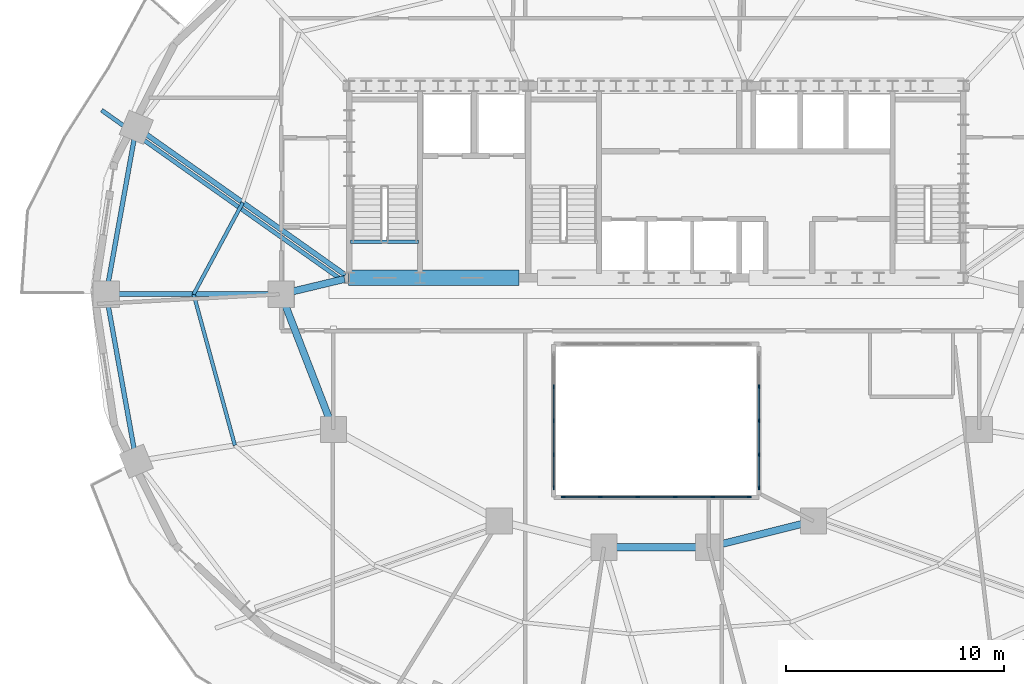
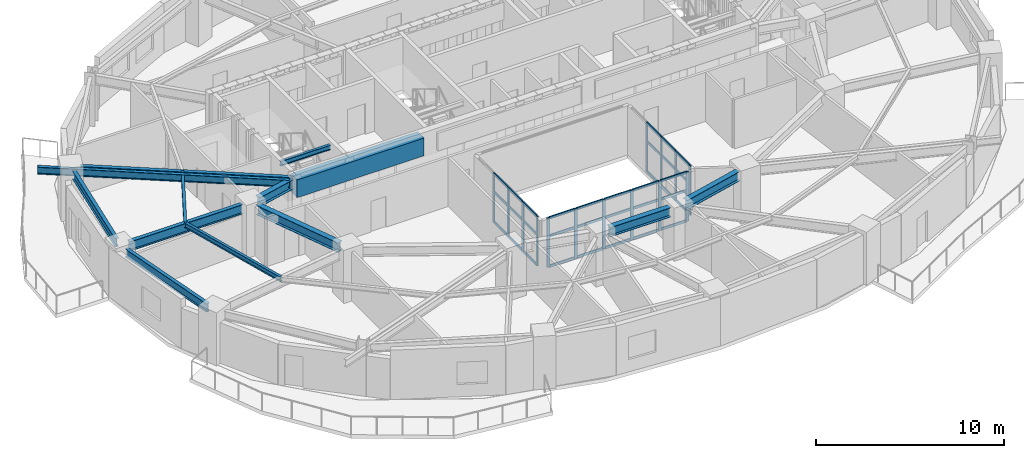
# One storey, part 2 of 11: 47 members, 13 beams, 3 elements without a shape of their own.
"""IFC4 building model written with IfcOpenShell, lengths in metres."""

from ifc_helpers import new_model, si_unit, direction, frame, origin, origin_2d, place, context, subcontext, project, spatial, rectangle, i_section, extrude, material, material_profile, profile_set, type_object, element, aggregate, save


model = new_model("IFC4")

# Units and contexts
model_context = context("Model", 3, precision=1e-05, world=origin(), true_north=direction((0.0, 1.0)))
body_context = subcontext(model_context, "Body", "Model", "MODEL_VIEW")
ifc_project = project(units=[si_unit("LENGTHUNIT", "METRE"), si_unit("AREAUNIT", "SQUARE_METRE"), si_unit("VOLUMEUNIT", "CUBIC_METRE"), si_unit("PLANEANGLEUNIT", "RADIAN"), si_unit("MASSUNIT", "GRAM", prefix="KILO")], contexts=[model_context])

# Site, building, storey
site_placement = place(None, origin())
site = spatial("IfcSite", under=ifc_project, at=site_placement, CompositionType="ELEMENT")
building_placement = place(site_placement, origin())
building = spatial("IfcBuilding", under=site, at=building_placement, Name="Haldorwick Loom Tower", CompositionType="ELEMENT")
storey_placement = place(building_placement, frame((0.0, 0.0, 164.800048828125)))
storey = spatial("IfcBuildingStorey", under=building, at=storey_placement, Name="L44", CompositionType="ELEMENT", Elevation=164.800048828125)

# Curtain wall, members
ifc_material_1 = material(Name="Thermally Broken Anodized Aluminium Curtain Wall Framing", Category="aluminium")
curtain_wall_type = type_object("IfcCurtainWallType", Name="ARC-CW-03", PredefinedType="NOTDEFINED", material=ifc_material_1)
curtain_wall_1_placement = place(storey_placement, origin())
curtain_wall_1 = element("IfcCurtainWall", 1, at=curtain_wall_1_placement, inside=storey, type_object=curtain_wall_type, Name="L44 Atrium Glazed Screen S", PredefinedType="NOTDEFINED")
ifc_material_profile_1 = material_profile(ifc_material_1, rectangle(XDim=0.06591796875, YDim=0.18505859375, at=origin_2d()), Name="ALU_MUL_66X185", Category="aluminium")
ifc_profile_set_1 = profile_set([ifc_material_profile_1], Name="Thermally Broken Anodized Aluminium Curtain Wall Framing")
member_type_1 = type_object("IfcMemberType", Name="ARC-CWM-03", PredefinedType="MULLION", material=ifc_profile_set_1)
member_1_placement = place(storey_placement, frame((40.26708984375, 16.699951171875, 0.0), z_axis=(0.0, 0.0, 1.0), x_axis=(0.0, -1.0, 0.0)))
member_1 = element("IfcMember", 2, at=member_1_placement, type_object=member_type_1, Name="CW-03 mullion 1", PredefinedType="MULLION", context=body_context, shape_type="SweptSolid", body=[
    extrude(rectangle(XDim=0.06591796875, YDim=0.18505859375, at=origin_2d()), origin(), (0.0, 0.0, 1.0), 3.2099609375),
])
member_2_placement = place(storey_placement, frame((38.580078125, 16.699951171875, 0.0), z_axis=(0.0, 0.0, 1.0), x_axis=(0.0, -1.0, 0.0)))
member_2 = element("IfcMember", 3, at=member_2_placement, type_object=member_type_1, Name="CW-03 mullion 2", PredefinedType="MULLION", context=body_context, shape_type="SweptSolid", body=[
    extrude(rectangle(XDim=0.06591796875, YDim=0.18505859375, at=origin_2d()), origin(), (0.0, 0.0, 1.0), 3.2099609375),
])
member_3_placement = place(storey_placement, frame((36.860107421875, 16.699951171875, 0.0), z_axis=(0.0, 0.0, 1.0), x_axis=(0.0, -1.0, 0.0)))
member_3 = element("IfcMember", 4, at=member_3_placement, type_object=member_type_1, Name="CW-03 mullion 3", PredefinedType="MULLION", context=body_context, shape_type="SweptSolid", body=[
    extrude(rectangle(XDim=0.06591796875, YDim=0.18505859375, at=origin_2d()), origin(), (0.0, 0.0, 1.0), 3.2099609375),
])
member_4_placement = place(storey_placement, frame((35.139892578125, 16.699951171875, 0.0), z_axis=(0.0, 0.0, 1.0), x_axis=(0.0, -1.0, 0.0)))
member_4 = element("IfcMember", 5, at=member_4_placement, type_object=member_type_1, Name="CW-03 mullion 4", PredefinedType="MULLION", context=body_context, shape_type="SweptSolid", body=[
    extrude(rectangle(XDim=0.06591796875, YDim=0.18505859375, at=origin_2d()), origin(), (0.0, 0.0, 1.0), 3.2099609375),
])
member_5_placement = place(storey_placement, frame((33.419921875, 16.699951171875, 0.0), z_axis=(0.0, 0.0, 1.0), x_axis=(0.0, -1.0, 0.0)))
member_5 = element("IfcMember", 6, at=member_5_placement, type_object=member_type_1, Name="CW-03 mullion 5", PredefinedType="MULLION", context=body_context, shape_type="SweptSolid", body=[
    extrude(rectangle(XDim=0.06591796875, YDim=0.18505859375, at=origin_2d()), origin(), (0.0, 0.0, 1.0), 3.2099609375),
])
member_6_placement = place(storey_placement, frame((31.73291015625, 16.699951171875, 0.0), z_axis=(0.0, 0.0, 1.0), x_axis=(0.0, -1.0, 0.0)))
member_6 = element("IfcMember", 7, at=member_6_placement, type_object=member_type_1, Name="CW-03 mullion 6", PredefinedType="MULLION", context=body_context, shape_type="SweptSolid", body=[
    extrude(rectangle(XDim=0.06591796875, YDim=0.18505859375, at=origin_2d()), origin(), (0.0, 0.0, 1.0), 3.2099609375),
])

curtain_wall_2_placement = place(storey_placement, origin())
curtain_wall_2 = element("IfcCurtainWall", 8, at=curtain_wall_2_placement, inside=storey, type_object=curtain_wall_type, Name="L44 Atrium Glazed Screen W", PredefinedType="NOTDEFINED")
member_7_placement = place(storey_placement, frame((31.300048828125, 17.133056640625, 0.0), z_axis=(0.0, 0.0, 1.0), x_axis=(-1.0, 0.0, 0.0)))
member_7 = element("IfcMember", 9, at=member_7_placement, type_object=member_type_1, Name="CW-03 mullion 1", PredefinedType="MULLION", context=body_context, shape_type="SweptSolid", body=[
    extrude(rectangle(XDim=0.06591796875, YDim=0.18505859375, at=origin_2d()), origin(), (0.0, 0.0, 1.0), 3.2099609375),
])
member_8_placement = place(storey_placement, frame((31.300048828125, 18.64990234375, 0.0), z_axis=(0.0, 0.0, 1.0), x_axis=(-1.0, 0.0, 0.0)))
member_8 = element("IfcMember", 10, at=member_8_placement, type_object=member_type_1, Name="CW-03 mullion 2", PredefinedType="MULLION", context=body_context, shape_type="SweptSolid", body=[
    extrude(rectangle(XDim=0.06591796875, YDim=0.18505859375, at=origin_2d()), origin(), (0.0, 0.0, 1.0), 3.2099609375),
])
member_9_placement = place(storey_placement, frame((31.300048828125, 20.199951171875, 0.0), z_axis=(0.0, 0.0, 1.0), x_axis=(-1.0, 0.0, 0.0)))
member_9 = element("IfcMember", 11, at=member_9_placement, type_object=member_type_1, Name="CW-03 mullion 3", PredefinedType="MULLION", context=body_context, shape_type="SweptSolid", body=[
    extrude(rectangle(XDim=0.06591796875, YDim=0.18505859375, at=origin_2d()), origin(), (0.0, 0.0, 1.0), 3.2099609375),
])
member_10_placement = place(storey_placement, frame((31.300048828125, 21.75, 0.0), z_axis=(0.0, 0.0, 1.0), x_axis=(-1.0, 0.0, 0.0)))
member_10 = element("IfcMember", 12, at=member_10_placement, type_object=member_type_1, Name="CW-03 mullion 4", PredefinedType="MULLION", context=body_context, shape_type="SweptSolid", body=[
    extrude(rectangle(XDim=0.06591796875, YDim=0.18505859375, at=origin_2d()), origin(), (0.0, 0.0, 1.0), 3.2099609375),
])

curtain_wall_3_placement = place(storey_placement, origin())
curtain_wall_3 = element("IfcCurtainWall", 13, at=curtain_wall_3_placement, inside=storey, type_object=curtain_wall_type, Name="L44 Atrium Glazed Screen E", PredefinedType="NOTDEFINED")
member_11_placement = place(storey_placement, frame((40.699951171875, 21.75, 0.0), z_axis=(0.0, 0.0, 1.0), x_axis=(1.0, 0.0, 0.0)))
member_11 = element("IfcMember", 14, at=member_11_placement, type_object=member_type_1, Name="CW-03 mullion 2", PredefinedType="MULLION", context=body_context, shape_type="SweptSolid", body=[
    extrude(rectangle(XDim=0.06591796875, YDim=0.18505859375, at=origin_2d()), origin(), (0.0, 0.0, 1.0), 3.2099609375),
])
member_12_placement = place(storey_placement, frame((40.699951171875, 20.199951171875, 0.0), z_axis=(0.0, 0.0, 1.0), x_axis=(1.0, 0.0, 0.0)))
member_12 = element("IfcMember", 15, at=member_12_placement, type_object=member_type_1, Name="CW-03 mullion 3", PredefinedType="MULLION", context=body_context, shape_type="SweptSolid", body=[
    extrude(rectangle(XDim=0.06591796875, YDim=0.18505859375, at=origin_2d()), origin(), (0.0, 0.0, 1.0), 3.2099609375),
])
member_13_placement = place(storey_placement, frame((40.699951171875, 18.64990234375, 0.0), z_axis=(0.0, 0.0, 1.0), x_axis=(1.0, 0.0, 0.0)))
member_13 = element("IfcMember", 16, at=member_13_placement, type_object=member_type_1, Name="CW-03 mullion 4", PredefinedType="MULLION", context=body_context, shape_type="SweptSolid", body=[
    extrude(rectangle(XDim=0.06591796875, YDim=0.18505859375, at=origin_2d()), origin(), (0.0, 0.0, 1.0), 3.2099609375),
])
member_14_placement = place(storey_placement, frame((40.699951171875, 17.133056640625, 0.0), z_axis=(0.0, 0.0, 1.0), x_axis=(1.0, 0.0, 0.0)))
member_14 = element("IfcMember", 17, at=member_14_placement, type_object=member_type_1, Name="CW-03 mullion 5", PredefinedType="MULLION", context=body_context, shape_type="SweptSolid", body=[
    extrude(rectangle(XDim=0.06591796875, YDim=0.18505859375, at=origin_2d()), origin(), (0.0, 0.0, 1.0), 3.2099609375),
])

# Member
ifc_material_profile_2 = material_profile(ifc_material_1, rectangle(XDim=0.06591796875, YDim=0.1650390625, at=origin_2d()), Name="ALU_TRN_66X165", Category="aluminium")
ifc_profile_set_2 = profile_set([ifc_material_profile_2], Name="Thermally Broken Anodized Aluminium Curtain Wall Framing")
member_type_2 = type_object("IfcMemberType", Name="ARC-CWT-03", PredefinedType="USERDEFINED", material=ifc_profile_set_2)
member_15_placement = place(storey_placement, frame((40.23388671875, 16.699951171875, 0.032958984375), z_axis=(-1.0, 0.0, 0.0), x_axis=(0.0, -1.0, 0.0)))
member_15 = element("IfcMember", 18, at=member_15_placement, type_object=member_type_2, Name="CW-03 transom 1.1", ObjectType="TRANSOM", PredefinedType="USERDEFINED", context=body_context, shape_type="SweptSolid", body=[
    extrude(rectangle(XDim=0.06591796875, YDim=0.1650390625, at=origin_2d()), origin(), (0.0, 0.0, 1.0), 1.620849609375),
])

member_16_placement = place(storey_placement, frame((40.23388671875, 16.699951171875, 2.0), z_axis=(-1.0, 0.0, 0.0), x_axis=(0.0, -1.0, 0.0)))
member_16 = element("IfcMember", 19, at=member_16_placement, type_object=member_type_2, Name="CW-03 transom 1.2", ObjectType="TRANSOM", PredefinedType="USERDEFINED", context=body_context, shape_type="SweptSolid", body=[
    extrude(rectangle(XDim=0.06591796875, YDim=0.1650390625, at=origin_2d()), origin(), (0.0, 0.0, 1.0), 1.620849609375),
])

member_17_placement = place(storey_placement, frame((40.23388671875, 16.699951171875, 3.177001953125), z_axis=(-1.0, 0.0, 0.0), x_axis=(0.0, -1.0, 0.0)))
member_17 = element("IfcMember", 20, at=member_17_placement, type_object=member_type_2, Name="CW-03 transom 1.3", ObjectType="TRANSOM", PredefinedType="USERDEFINED", context=body_context, shape_type="SweptSolid", body=[
    extrude(rectangle(XDim=0.06591796875, YDim=0.1650390625, at=origin_2d()), origin(), (0.0, 0.0, 1.0), 1.620849609375),
])

member_18_placement = place(storey_placement, frame((38.547119140625, 16.699951171875, 0.032958984375), z_axis=(-1.0, 0.0, 0.0), x_axis=(0.0, -1.0, 0.0)))
member_18 = element("IfcMember", 21, at=member_18_placement, type_object=member_type_2, Name="CW-03 transom 2.1", ObjectType="TRANSOM", PredefinedType="USERDEFINED", context=body_context, shape_type="SweptSolid", body=[
    extrude(rectangle(XDim=0.06591796875, YDim=0.1650390625, at=origin_2d()), origin(), (0.0, 0.0, 1.0), 1.654052734375),
])

member_19_placement = place(storey_placement, frame((38.547119140625, 16.699951171875, 2.0), z_axis=(-1.0, 0.0, 0.0), x_axis=(0.0, -1.0, 0.0)))
member_19 = element("IfcMember", 22, at=member_19_placement, type_object=member_type_2, Name="CW-03 transom 2.2", ObjectType="TRANSOM", PredefinedType="USERDEFINED", context=body_context, shape_type="SweptSolid", body=[
    extrude(rectangle(XDim=0.06591796875, YDim=0.1650390625, at=origin_2d()), origin(), (0.0, 0.0, 1.0), 1.654052734375),
])

member_20_placement = place(storey_placement, frame((38.547119140625, 16.699951171875, 3.177001953125), z_axis=(-1.0, 0.0, 0.0), x_axis=(0.0, -1.0, 0.0)))
member_20 = element("IfcMember", 23, at=member_20_placement, type_object=member_type_2, Name="CW-03 transom 2.3", ObjectType="TRANSOM", PredefinedType="USERDEFINED", context=body_context, shape_type="SweptSolid", body=[
    extrude(rectangle(XDim=0.06591796875, YDim=0.1650390625, at=origin_2d()), origin(), (0.0, 0.0, 1.0), 1.654052734375),
])

member_21_placement = place(storey_placement, frame((36.826904296875, 16.699951171875, 0.032958984375), z_axis=(-1.0, 0.0, 0.0), x_axis=(0.0, -1.0, 0.0)))
member_21 = element("IfcMember", 24, at=member_21_placement, type_object=member_type_2, Name="CW-03 transom 3.1", ObjectType="TRANSOM", PredefinedType="USERDEFINED", context=body_context, shape_type="SweptSolid", body=[
    extrude(rectangle(XDim=0.06591796875, YDim=0.1650390625, at=origin_2d()), origin(), (0.0, 0.0, 1.0), 1.65380859375),
])

member_22_placement = place(storey_placement, frame((36.826904296875, 16.699951171875, 2.0), z_axis=(-1.0, 0.0, 0.0), x_axis=(0.0, -1.0, 0.0)))
member_22 = element("IfcMember", 25, at=member_22_placement, type_object=member_type_2, Name="CW-03 transom 3.2", ObjectType="TRANSOM", PredefinedType="USERDEFINED", context=body_context, shape_type="SweptSolid", body=[
    extrude(rectangle(XDim=0.06591796875, YDim=0.1650390625, at=origin_2d()), origin(), (0.0, 0.0, 1.0), 1.65380859375),
])

member_23_placement = place(storey_placement, frame((36.826904296875, 16.699951171875, 3.177001953125), z_axis=(-1.0, 0.0, 0.0), x_axis=(0.0, -1.0, 0.0)))
member_23 = element("IfcMember", 26, at=member_23_placement, type_object=member_type_2, Name="CW-03 transom 3.3", ObjectType="TRANSOM", PredefinedType="USERDEFINED", context=body_context, shape_type="SweptSolid", body=[
    extrude(rectangle(XDim=0.06591796875, YDim=0.1650390625, at=origin_2d()), origin(), (0.0, 0.0, 1.0), 1.65380859375),
])

member_24_placement = place(storey_placement, frame((35.10693359375, 16.699951171875, 0.032958984375), z_axis=(-1.0, 0.0, 0.0), x_axis=(0.0, -1.0, 0.0)))
member_24 = element("IfcMember", 27, at=member_24_placement, type_object=member_type_2, Name="CW-03 transom 4.1", ObjectType="TRANSOM", PredefinedType="USERDEFINED", context=body_context, shape_type="SweptSolid", body=[
    extrude(rectangle(XDim=0.06591796875, YDim=0.1650390625, at=origin_2d()), origin(), (0.0, 0.0, 1.0), 1.654052734375),
])

member_25_placement = place(storey_placement, frame((35.10693359375, 16.699951171875, 2.0), z_axis=(-1.0, 0.0, 0.0), x_axis=(0.0, -1.0, 0.0)))
member_25 = element("IfcMember", 28, at=member_25_placement, type_object=member_type_2, Name="CW-03 transom 4.2", ObjectType="TRANSOM", PredefinedType="USERDEFINED", context=body_context, shape_type="SweptSolid", body=[
    extrude(rectangle(XDim=0.06591796875, YDim=0.1650390625, at=origin_2d()), origin(), (0.0, 0.0, 1.0), 1.654052734375),
])

member_26_placement = place(storey_placement, frame((35.10693359375, 16.699951171875, 3.177001953125), z_axis=(-1.0, 0.0, 0.0), x_axis=(0.0, -1.0, 0.0)))
member_26 = element("IfcMember", 29, at=member_26_placement, type_object=member_type_2, Name="CW-03 transom 4.3", ObjectType="TRANSOM", PredefinedType="USERDEFINED", context=body_context, shape_type="SweptSolid", body=[
    extrude(rectangle(XDim=0.06591796875, YDim=0.1650390625, at=origin_2d()), origin(), (0.0, 0.0, 1.0), 1.654052734375),
])

member_27_placement = place(storey_placement, frame((33.386962890625, 16.699951171875, 0.032958984375), z_axis=(-1.0, 0.0, 0.0), x_axis=(0.0, -1.0, 0.0)))
member_27 = element("IfcMember", 30, at=member_27_placement, type_object=member_type_2, Name="CW-03 transom 5.1", ObjectType="TRANSOM", PredefinedType="USERDEFINED", context=body_context, shape_type="SweptSolid", body=[
    extrude(rectangle(XDim=0.06591796875, YDim=0.1650390625, at=origin_2d()), origin(), (0.0, 0.0, 1.0), 1.620849609375),
])

member_28_placement = place(storey_placement, frame((33.386962890625, 16.699951171875, 2.0), z_axis=(-1.0, 0.0, 0.0), x_axis=(0.0, -1.0, 0.0)))
member_28 = element("IfcMember", 31, at=member_28_placement, type_object=member_type_2, Name="CW-03 transom 5.2", ObjectType="TRANSOM", PredefinedType="USERDEFINED", context=body_context, shape_type="SweptSolid", body=[
    extrude(rectangle(XDim=0.06591796875, YDim=0.1650390625, at=origin_2d()), origin(), (0.0, 0.0, 1.0), 1.620849609375),
])

member_29_placement = place(storey_placement, frame((33.386962890625, 16.699951171875, 3.177001953125), z_axis=(-1.0, 0.0, 0.0), x_axis=(0.0, -1.0, 0.0)))
member_29 = element("IfcMember", 32, at=member_29_placement, type_object=member_type_2, Name="CW-03 transom 5.3", ObjectType="TRANSOM", PredefinedType="USERDEFINED", context=body_context, shape_type="SweptSolid", body=[
    extrude(rectangle(XDim=0.06591796875, YDim=0.1650390625, at=origin_2d()), origin(), (0.0, 0.0, 1.0), 1.620849609375),
])

aggregate(curtain_wall_1, [member_1, member_2, member_3, member_4, member_5, member_6, member_15, member_16, member_17, member_18, member_19, member_20, member_21, member_22, member_23, member_24, member_25, member_26, member_27, member_28, member_29])

member_30_placement = place(storey_placement, frame((31.300048828125, 17.166015625, 0.032958984375), z_axis=(0.0, 1.0, 0.0), x_axis=(-1.0, 0.0, 0.0)))
member_30 = element("IfcMember", 33, at=member_30_placement, type_object=member_type_2, Name="CW-03 transom 1.1", ObjectType="TRANSOM", PredefinedType="USERDEFINED", context=body_context, shape_type="SweptSolid", body=[
    extrude(rectangle(XDim=0.06591796875, YDim=0.1650390625, at=origin_2d()), origin(), (0.0, 0.0, 1.0), 1.450927734375),
])

member_31_placement = place(storey_placement, frame((31.300048828125, 17.166015625, 2.0), z_axis=(0.0, 1.0, 0.0), x_axis=(-1.0, 0.0, 0.0)))
member_31 = element("IfcMember", 34, at=member_31_placement, type_object=member_type_2, Name="CW-03 transom 1.2", ObjectType="TRANSOM", PredefinedType="USERDEFINED", context=body_context, shape_type="SweptSolid", body=[
    extrude(rectangle(XDim=0.06591796875, YDim=0.1650390625, at=origin_2d()), origin(), (0.0, 0.0, 1.0), 1.450927734375),
])

member_32_placement = place(storey_placement, frame((31.300048828125, 17.166015625, 3.177001953125), z_axis=(0.0, 1.0, 0.0), x_axis=(-1.0, 0.0, 0.0)))
member_32 = element("IfcMember", 35, at=member_32_placement, type_object=member_type_2, Name="CW-03 transom 1.3", ObjectType="TRANSOM", PredefinedType="USERDEFINED", context=body_context, shape_type="SweptSolid", body=[
    extrude(rectangle(XDim=0.06591796875, YDim=0.1650390625, at=origin_2d()), origin(), (0.0, 0.0, 1.0), 1.450927734375),
])

member_33_placement = place(storey_placement, frame((31.300048828125, 18.68310546875, 0.032958984375), z_axis=(0.0, 1.0, 0.0), x_axis=(-1.0, 0.0, 0.0)))
member_33 = element("IfcMember", 36, at=member_33_placement, type_object=member_type_2, Name="CW-03 transom 2.1", ObjectType="TRANSOM", PredefinedType="USERDEFINED", context=body_context, shape_type="SweptSolid", body=[
    extrude(rectangle(XDim=0.06591796875, YDim=0.1650390625, at=origin_2d()), origin(), (0.0, 0.0, 1.0), 1.48388671875),
])

member_34_placement = place(storey_placement, frame((31.300048828125, 18.68310546875, 2.0), z_axis=(0.0, 1.0, 0.0), x_axis=(-1.0, 0.0, 0.0)))
member_34 = element("IfcMember", 37, at=member_34_placement, type_object=member_type_2, Name="CW-03 transom 2.2", ObjectType="TRANSOM", PredefinedType="USERDEFINED", context=body_context, shape_type="SweptSolid", body=[
    extrude(rectangle(XDim=0.06591796875, YDim=0.1650390625, at=origin_2d()), origin(), (0.0, 0.0, 1.0), 1.48388671875),
])

member_35_placement = place(storey_placement, frame((31.300048828125, 18.68310546875, 3.177001953125), z_axis=(0.0, 1.0, 0.0), x_axis=(-1.0, 0.0, 0.0)))
member_35 = element("IfcMember", 38, at=member_35_placement, type_object=member_type_2, Name="CW-03 transom 2.3", ObjectType="TRANSOM", PredefinedType="USERDEFINED", context=body_context, shape_type="SweptSolid", body=[
    extrude(rectangle(XDim=0.06591796875, YDim=0.1650390625, at=origin_2d()), origin(), (0.0, 0.0, 1.0), 1.48388671875),
])

member_36_placement = place(storey_placement, frame((31.300048828125, 20.23291015625, 0.032958984375), z_axis=(0.0, 1.0, 0.0), x_axis=(-1.0, 0.0, 0.0)))
member_36 = element("IfcMember", 39, at=member_36_placement, type_object=member_type_2, Name="CW-03 transom 3.1", ObjectType="TRANSOM", PredefinedType="USERDEFINED", context=body_context, shape_type="SweptSolid", body=[
    extrude(rectangle(XDim=0.06591796875, YDim=0.1650390625, at=origin_2d()), origin(), (0.0, 0.0, 1.0), 1.484130859375),
])

member_37_placement = place(storey_placement, frame((31.300048828125, 20.23291015625, 2.0), z_axis=(0.0, 1.0, 0.0), x_axis=(-1.0, 0.0, 0.0)))
member_37 = element("IfcMember", 40, at=member_37_placement, type_object=member_type_2, Name="CW-03 transom 3.2", ObjectType="TRANSOM", PredefinedType="USERDEFINED", context=body_context, shape_type="SweptSolid", body=[
    extrude(rectangle(XDim=0.06591796875, YDim=0.1650390625, at=origin_2d()), origin(), (0.0, 0.0, 1.0), 1.484130859375),
])

member_38_placement = place(storey_placement, frame((31.300048828125, 20.23291015625, 3.177001953125), z_axis=(0.0, 1.0, 0.0), x_axis=(-1.0, 0.0, 0.0)))
member_38 = element("IfcMember", 41, at=member_38_placement, type_object=member_type_2, Name="CW-03 transom 3.3", ObjectType="TRANSOM", PredefinedType="USERDEFINED", context=body_context, shape_type="SweptSolid", body=[
    extrude(rectangle(XDim=0.06591796875, YDim=0.1650390625, at=origin_2d()), origin(), (0.0, 0.0, 1.0), 1.484130859375),
])

aggregate(curtain_wall_2, [member_7, member_8, member_9, member_10, member_30, member_31, member_32, member_33, member_34, member_35, member_36, member_37, member_38])

member_39_placement = place(storey_placement, frame((40.699951171875, 21.717041015625, 0.032958984375), z_axis=(0.0, -1.0, 0.0), x_axis=(1.0, 0.0, 0.0)))
member_39 = element("IfcMember", 42, at=member_39_placement, type_object=member_type_2, Name="CW-03 transom 2.1", ObjectType="TRANSOM", PredefinedType="USERDEFINED", context=body_context, shape_type="SweptSolid", body=[
    extrude(rectangle(XDim=0.06591796875, YDim=0.1650390625, at=origin_2d()), origin(), (0.0, 0.0, 1.0), 1.484130859375),
])

member_40_placement = place(storey_placement, frame((40.699951171875, 21.717041015625, 2.0), z_axis=(0.0, -1.0, 0.0), x_axis=(1.0, 0.0, 0.0)))
member_40 = element("IfcMember", 43, at=member_40_placement, type_object=member_type_2, Name="CW-03 transom 2.2", ObjectType="TRANSOM", PredefinedType="USERDEFINED", context=body_context, shape_type="SweptSolid", body=[
    extrude(rectangle(XDim=0.06591796875, YDim=0.1650390625, at=origin_2d()), origin(), (0.0, 0.0, 1.0), 1.484130859375),
])

member_41_placement = place(storey_placement, frame((40.699951171875, 21.717041015625, 3.177001953125), z_axis=(0.0, -1.0, 0.0), x_axis=(1.0, 0.0, 0.0)))
member_41 = element("IfcMember", 44, at=member_41_placement, type_object=member_type_2, Name="CW-03 transom 2.3", ObjectType="TRANSOM", PredefinedType="USERDEFINED", context=body_context, shape_type="SweptSolid", body=[
    extrude(rectangle(XDim=0.06591796875, YDim=0.1650390625, at=origin_2d()), origin(), (0.0, 0.0, 1.0), 1.484130859375),
])

member_42_placement = place(storey_placement, frame((40.699951171875, 20.1669921875, 0.032958984375), z_axis=(0.0, -1.0, 0.0), x_axis=(1.0, 0.0, 0.0)))
member_42 = element("IfcMember", 45, at=member_42_placement, type_object=member_type_2, Name="CW-03 transom 3.1", ObjectType="TRANSOM", PredefinedType="USERDEFINED", context=body_context, shape_type="SweptSolid", body=[
    extrude(rectangle(XDim=0.06591796875, YDim=0.1650390625, at=origin_2d()), origin(), (0.0, 0.0, 1.0), 1.48388671875),
])

member_43_placement = place(storey_placement, frame((40.699951171875, 20.1669921875, 2.0), z_axis=(0.0, -1.0, 0.0), x_axis=(1.0, 0.0, 0.0)))
member_43 = element("IfcMember", 46, at=member_43_placement, type_object=member_type_2, Name="CW-03 transom 3.2", ObjectType="TRANSOM", PredefinedType="USERDEFINED", context=body_context, shape_type="SweptSolid", body=[
    extrude(rectangle(XDim=0.06591796875, YDim=0.1650390625, at=origin_2d()), origin(), (0.0, 0.0, 1.0), 1.48388671875),
])

member_44_placement = place(storey_placement, frame((40.699951171875, 20.1669921875, 3.177001953125), z_axis=(0.0, -1.0, 0.0), x_axis=(1.0, 0.0, 0.0)))
member_44 = element("IfcMember", 47, at=member_44_placement, type_object=member_type_2, Name="CW-03 transom 3.3", ObjectType="TRANSOM", PredefinedType="USERDEFINED", context=body_context, shape_type="SweptSolid", body=[
    extrude(rectangle(XDim=0.06591796875, YDim=0.1650390625, at=origin_2d()), origin(), (0.0, 0.0, 1.0), 1.48388671875),
])

member_45_placement = place(storey_placement, frame((40.699951171875, 18.616943359375, 0.032958984375), z_axis=(0.0, -1.0, 0.0), x_axis=(1.0, 0.0, 0.0)))
member_45 = element("IfcMember", 48, at=member_45_placement, type_object=member_type_2, Name="CW-03 transom 4.1", ObjectType="TRANSOM", PredefinedType="USERDEFINED", context=body_context, shape_type="SweptSolid", body=[
    extrude(rectangle(XDim=0.06591796875, YDim=0.1650390625, at=origin_2d()), origin(), (0.0, 0.0, 1.0), 1.450927734375),
])

member_46_placement = place(storey_placement, frame((40.699951171875, 18.616943359375, 2.0), z_axis=(0.0, -1.0, 0.0), x_axis=(1.0, 0.0, 0.0)))
member_46 = element("IfcMember", 49, at=member_46_placement, type_object=member_type_2, Name="CW-03 transom 4.2", ObjectType="TRANSOM", PredefinedType="USERDEFINED", context=body_context, shape_type="SweptSolid", body=[
    extrude(rectangle(XDim=0.06591796875, YDim=0.1650390625, at=origin_2d()), origin(), (0.0, 0.0, 1.0), 1.450927734375),
])

member_47_placement = place(storey_placement, frame((40.699951171875, 18.616943359375, 3.177001953125), z_axis=(0.0, -1.0, 0.0), x_axis=(1.0, 0.0, 0.0)))
member_47 = element("IfcMember", 50, at=member_47_placement, type_object=member_type_2, Name="CW-03 transom 4.3", ObjectType="TRANSOM", PredefinedType="USERDEFINED", context=body_context, shape_type="SweptSolid", body=[
    extrude(rectangle(XDim=0.06591796875, YDim=0.1650390625, at=origin_2d()), origin(), (0.0, 0.0, 1.0), 1.450927734375),
])

aggregate(curtain_wall_3, [member_11, member_12, member_13, member_14, member_39, member_40, member_41, member_42, member_43, member_44, member_45, member_46, member_47])

# Beams
ifc_material_2 = material(Name="Steel CSA G40.21 350W", Category="steel")
ifc_material_profile_3 = material_profile(ifc_material_2, i_section(OverallWidth=0.193115234375, OverallDepth=0.466064453125, WebThickness=0.011474609375, FlangeThickness=0.01904296875, at=origin_2d()), Name="W460X97", Category="steel")
ifc_profile_set_3 = profile_set([ifc_material_profile_3], Name="Steel CSA G40.21 350W")
beam_type_1 = type_object("IfcBeamType", Name="STR-BM-BAL460", PredefinedType="BEAM", material=ifc_profile_set_3)
beam_1_placement = place(storey_placement, frame((21.584716796875, 26.651123046875, 2.97705078125), z_axis=(-0.816570288691, 0.577246016554, 0.0), x_axis=(-0.577246016554, -0.816570288691, 0.0)))
element("IfcBeam", 51, at=beam_1_placement, inside=storey, type_object=beam_type_1, Name="L44 Continuous Back-Spanned Balcony Beam 3", PredefinedType="BEAM", context=body_context, shape_type="SweptSolid", body=[
    extrude(i_section(OverallWidth=0.193115234375, OverallDepth=0.466064453125, WebThickness=0.011474609375, FlangeThickness=0.01904296875, at=origin_2d()), origin(), (0.0, 0.0, 1.0), 13.485107421875),
])
ifc_material_3 = material(Name="Concrete C60 (60 MPa)", Category="concrete")
ifc_material_profile_4 = material_profile(ifc_material_3, rectangle(XDim=0.699951171875, YDim=1.14990234375, at=origin_2d()), Name="RC700X1150", Category="concrete")
ifc_profile_set_4 = profile_set([ifc_material_profile_4], Name="Concrete C60 (60 MPa)")
beam_type_2 = type_object("IfcBeamType", Name="STR-BM-CB1150", PredefinedType="LINTEL", material=ifc_profile_set_4)
beam_2_placement = place(storey_placement, frame((21.89990234375, 26.75, 2.635009765625), z_axis=(1.0, 0.0, 0.0), x_axis=(0.0, 1.0, 0.0)))
element("IfcBeam", 52, at=beam_2_placement, inside=storey, type_object=beam_type_2, Name="L44 Core Coupling Beam CB-S1", PredefinedType="LINTEL", context=body_context, shape_type="SweptSolid", body=[
    extrude(rectangle(XDim=0.699951171875, YDim=1.14990234375, at=origin_2d()), origin(), (0.0, 0.0, 1.0), 7.800048828125),
])
ifc_material_profile_5 = material_profile(ifc_material_2, i_section(OverallWidth=0.166015625, OverallDepth=0.31298828125, WebThickness=0.006591796875, FlangeThickness=0.01123046875, at=origin_2d()), Name="W310X45", Category="steel")
ifc_profile_set_5 = profile_set([ifc_material_profile_5], Name="Steel CSA G40.21 350W")
beam_type_3 = type_object("IfcBeamType", Name="STR-BM-J310", PredefinedType="JOIST", material=ifc_profile_set_5)
beam_3_placement = place(storey_placement, frame((17.046875, 30.201904296875, 3.053466796875), z_axis=(-0.472930162238, -0.881099915813, 0.0), x_axis=(0.881099915813, -0.472930162238, 0.0)))
element("IfcBeam", 53, at=beam_3_placement, inside=storey, type_object=beam_type_3, Name="L44 Mid-Bay Secondary Joist 8", PredefinedType="JOIST", context=body_context, shape_type="SweptSolid", body=[
    extrude(i_section(OverallWidth=0.166015625, OverallDepth=0.31298828125, WebThickness=0.006591796875, FlangeThickness=0.01123046875, at=origin_2d()), origin(), (0.0, 0.0, 1.0), 4.76904296875),
])
beam_4_placement = place(storey_placement, frame((14.79150390625, 26.0, 3.053466796875), z_axis=(0.263272762578, -0.964721437766, 0.0), x_axis=(0.964721437766, 0.263272762578, 0.0)))
element("IfcBeam", 54, at=beam_4_placement, inside=storey, type_object=beam_type_3, Name="L44 Mid-Bay Secondary Joist 9", PredefinedType="JOIST", context=body_context, shape_type="SweptSolid", body=[
    extrude(i_section(OverallWidth=0.166015625, OverallDepth=0.31298828125, WebThickness=0.006591796875, FlangeThickness=0.01123046875, at=origin_2d()), origin(), (0.0, 0.0, 1.0), 7.180419921875),
])
ifc_material_profile_6 = material_profile(ifc_material_2, i_section(OverallWidth=0.2119140625, OverallDepth=0.5439453125, WebThickness=0.01318359375, FlangeThickness=0.021240234375, at=origin_2d()), Name="W530X123", Category="steel")
ifc_profile_set_6 = profile_set([ifc_material_profile_6], Name="Steel CSA G40.21 350W")
beam_type_4 = type_object("IfcBeamType", Name="STR-BM-SP530", PredefinedType="SPANDREL", material=ifc_profile_set_6)
for number, where, z_axis, x_axis, name in (
    (55, (12.071533203125, 33.14208984375, 2.93798828125), (-0.177558730702, -0.984110205796, 0.0), (0.984110205796, -0.177558730702, 0.0), "L44 Perimeter Spandrel 8"),
    (56, (10.875244140625, 25.48828125, 2.93798828125), (0.177558730702, -0.984110205796, 0.0), (0.984110205796, 0.177558730702, 0.0), "L44 Perimeter Spandrel 9"),
):
    element("IfcBeam", number, at=place(storey_placement, frame(where, z_axis=z_axis, x_axis=x_axis)), inside=storey, type_object=beam_type_4, Name=name, PredefinedType="SPANDREL", context=body_context, shape_type="SweptSolid", body=[
        extrude(i_section(OverallWidth=0.2119140625, OverallDepth=0.5439453125, WebThickness=0.01318359375, FlangeThickness=0.021240234375, at=origin_2d()), origin(), (0.0, 0.0, 1.0), 6.737548828125),
    ])
ifc_material_profile_7 = material_profile(ifc_material_2, i_section(OverallWidth=0.166015625, OverallDepth=0.31298828125, WebThickness=0.006591796875, FlangeThickness=0.01123046875, at=origin_2d()), Name="W310X45", Category="steel")
ifc_profile_set_7 = profile_set([ifc_material_profile_7], Name="Steel CSA G40.21 350W")
beam_type_5 = type_object("IfcBeamType", Name="STR-BM-STRM", PredefinedType="BEAM", material=ifc_profile_set_7)
beam_5_placement = place(storey_placement, frame((21.989990234375, 28.39990234375, 3.053466796875), z_axis=(1.0, 0.0, 0.0), x_axis=(0.0, 1.0, 0.0)))
element("IfcBeam", 57, at=beam_5_placement, inside=storey, type_object=beam_type_5, Name="L44 Stair ST-01 Landing Edge Trimmer", PredefinedType="BEAM", context=body_context, shape_type="SweptSolid", body=[
    extrude(i_section(OverallWidth=0.166015625, OverallDepth=0.31298828125, WebThickness=0.006591796875, FlangeThickness=0.01123046875, at=origin_2d()), origin(), (0.0, 0.0, 1.0), 3.1201171875),
])
ifc_material_profile_8 = material_profile(ifc_material_2, i_section(OverallWidth=0.324951171875, OverallDepth=0.615966796875, WebThickness=0.013916015625, FlangeThickness=0.021484375, at=origin_2d()), Name="W610X174", Category="steel")
ifc_profile_set_8 = profile_set([ifc_material_profile_8], Name="Steel CSA G40.21 350W")
beam_type_6 = type_object("IfcBeamType", Name="STR-BM-W610A", PredefinedType="BEAM", material=ifc_profile_set_8)
beam_6_placement = place(storey_placement, frame((42.695556640625, 15.473876953125, 2.90185546875), z_axis=(-0.970142500145, -0.242535625036, 0.0), x_axis=(0.242535625036, -0.970142500145, 0.0)))
element("IfcBeam", 58, at=beam_6_placement, inside=storey, type_object=beam_type_6, Name="L44 Inner Ring Girder 4", PredefinedType="BEAM", context=body_context, shape_type="SweptSolid", body=[
    extrude(i_section(OverallWidth=0.324951171875, OverallDepth=0.615966796875, WebThickness=0.013916015625, FlangeThickness=0.021484375, at=origin_2d()), origin(), (0.0, 0.0, 1.0), 3.90771484375),
])
beam_7_placement = place(storey_placement, frame((37.8798828125, 14.39990234375, 2.90185546875), z_axis=(-1.0, 0.0, 0.0), x_axis=(0.0, -1.0, 0.0)))
element("IfcBeam", 59, at=beam_7_placement, inside=storey, type_object=beam_type_6, Name="L44 Inner Ring Girder 5", PredefinedType="BEAM", context=body_context, shape_type="SweptSolid", body=[
    extrude(i_section(OverallWidth=0.324951171875, OverallDepth=0.615966796875, WebThickness=0.013916015625, FlangeThickness=0.021484375, at=origin_2d()), origin(), (0.0, 0.0, 1.0), 3.759765625),
])
beam_8_placement = place(storey_placement, frame((21.01220703125, 20.284912109375, 2.90185546875), z_axis=(-0.360964792353, 0.93257944363, 0.0), x_axis=(-0.93257944363, -0.360964792353, 0.0)))
element("IfcBeam", 60, at=beam_8_placement, inside=storey, type_object=beam_type_6, Name="L44 Inner Ring Girder 8", PredefinedType="BEAM", context=body_context, shape_type="SweptSolid", body=[
    extrude(i_section(OverallWidth=0.324951171875, OverallDepth=0.615966796875, WebThickness=0.013916015625, FlangeThickness=0.021484375, at=origin_2d()), origin(), (0.0, 0.0, 1.0), 5.6083984375),
])
beam_9_placement = place(storey_placement, frame((19.3056640625, 26.12109375, 2.90185546875), z_axis=(0.97247055837, 0.233025777764, 0.0), x_axis=(-0.233025777764, 0.97247055837, 0.0)))
element("IfcBeam", 61, at=beam_9_placement, inside=storey, type_object=beam_type_6, Name="L44 Inner Ring Girder 9", PredefinedType="BEAM", context=body_context, shape_type="SweptSolid", body=[
    extrude(i_section(OverallWidth=0.324951171875, OverallDepth=0.615966796875, WebThickness=0.013916015625, FlangeThickness=0.021484375, at=origin_2d()), origin(), (0.0, 0.0, 1.0), 2.4736328125),
])
ifc_material_profile_9 = material_profile(ifc_material_2, i_section(OverallWidth=0.22998046875, OverallDepth=0.616943359375, WebThickness=0.01318359375, FlangeThickness=0.022216796875, at=origin_2d()), Name="W610X140", Category="steel")
ifc_profile_set_9 = profile_set([ifc_material_profile_9], Name="Steel CSA G40.21 350W")
beam_type_7 = type_object("IfcBeamType", Name="STR-BM-W610B", PredefinedType="BEAM", material=ifc_profile_set_9)
beam_10_placement = place(storey_placement, frame((21.746337890625, 26.8798828125, 2.9013671875), z_axis=(-0.816581567299, 0.577230061542, 0.0), x_axis=(-0.577230061542, -0.816581567299, 0.0)))
element("IfcBeam", 62, at=beam_10_placement, inside=storey, type_object=beam_type_7, Name="L44 Radial Floor Girder 8", PredefinedType="BEAM", context=body_context, shape_type="SweptSolid", body=[
    extrude(i_section(OverallWidth=0.22998046875, OverallDepth=0.616943359375, WebThickness=0.01318359375, FlangeThickness=0.022216796875, at=origin_2d()), origin(), (0.0, 0.0, 1.0), 11.215087890625),
])
beam_11_placement = place(storey_placement, frame((18.280029296875, 26.0, 2.9013671875), z_axis=(-1.0, 0.0, 0.0), x_axis=(0.0, -1.0, 0.0)))
element("IfcBeam", 63, at=beam_11_placement, inside=storey, type_object=beam_type_7, Name="L44 Radial Floor Girder 9", PredefinedType="BEAM", context=body_context, shape_type="SweptSolid", body=[
    extrude(i_section(OverallWidth=0.22998046875, OverallDepth=0.616943359375, WebThickness=0.01318359375, FlangeThickness=0.022216796875, at=origin_2d()), origin(), (0.0, 0.0, 1.0), 6.97705078125),
])

save(model, "model.ifc")
